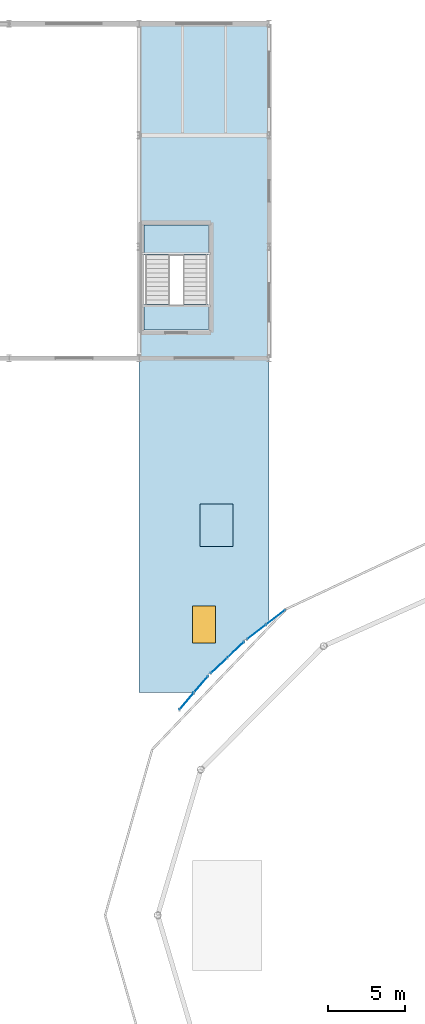
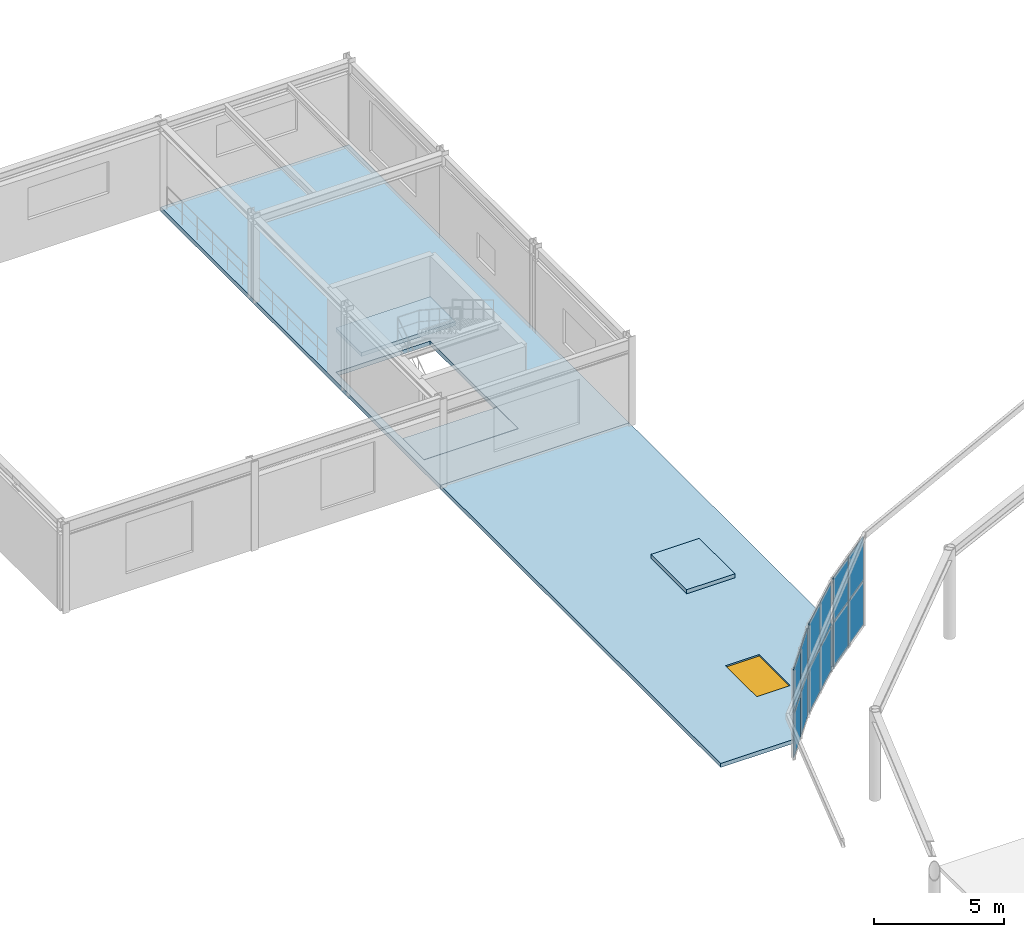
# One storey, part 53 of 73: 12 plates, 5 slabs, 1 window, 1 opening, 4 elements without a shape of their own.
"""IFC4 building model written with IfcOpenShell, lengths in metres."""

from ifc_helpers import new_model, si_unit, derived_unit, direction, frame, origin, origin_2d, place, context, subcontext, project, spatial, polyline, rectangle, outline, extrude, material, layer, layer_set, type_object, element, fill, aggregate, save


model = new_model("IFC4")

# Units and contexts
model_context = context("Model", 3, precision=1e-05, world=origin(), true_north=direction((0.0, 1.0)))
body_context = subcontext(model_context, "Body", "Model", "MODEL_VIEW")
ifc_project = project(units=[si_unit("LENGTHUNIT", "METRE"), si_unit("AREAUNIT", "SQUARE_METRE"), si_unit("VOLUMEUNIT", "CUBIC_METRE"), si_unit("PLANEANGLEUNIT", "RADIAN"), si_unit("MASSUNIT", "GRAM", prefix="KILO"), derived_unit("THERMALTRANSMITTANCEUNIT", [(si_unit("MASSUNIT", "GRAM", prefix="KILO"), 1), (si_unit("TIMEUNIT", "SECOND"), -3), (si_unit("THERMODYNAMICTEMPERATUREUNIT", "KELVIN"), -1)])], contexts=[model_context])

# Site, building, storey
site_placement = place(None, origin())
site = spatial("IfcSite", under=ifc_project, at=site_placement, CompositionType="ELEMENT")
building_placement = place(site_placement, origin())
building = spatial("IfcBuilding", under=site, at=building_placement, Name="Kharveza Railside Sports Centre", CompositionType="ELEMENT")
storey_placement = place(building_placement, frame((0.0, 0.0, 8.699951171875)))
storey = spatial("IfcBuildingStorey", under=building, at=storey_placement, Name="L02", CompositionType="ELEMENT", Elevation=8.699951171875)

# Curtain wall, plates
ifc_material_1 = material(Name="Low-E solar-control laminated glass", Category="glass")
curtain_wall_type = type_object("IfcCurtainWallType", Name="CW-DR01", PredefinedType="NOTDEFINED", material=ifc_material_1)
curtain_wall_1_placement = place(storey_placement, origin())
curtain_wall_1 = element("IfcCurtainWall", 1, at=curtain_wall_1_placement, inside=storey, type_object=curtain_wall_type, Name="CW-DRUM-25", PredefinedType="NOTDEFINED")
ifc_layer_1 = layer(ifc_material_1, 0.035888671875, Name="Low-E solar-control laminated glass")
ifc_layer_set_1 = layer_set([ifc_layer_1], Name="Low-E solar-control laminated glass")
plate_type = type_object("IfcPlateType", Name="PL-CP02", PredefinedType="CURTAIN_PANEL", material=ifc_layer_set_1)
plate_1_placement = place(storey_placement, frame((25.609130859375, 69.6533203125, 0.02001953125), z_axis=(0.0, 0.0, 1.0), x_axis=(-0.791436947965, -0.61125081382, 0.0)))
plate_1 = element("IfcPlate", 2, at=plate_1_placement, type_object=plate_type, Name="CW-DRUM-25-PN11", PredefinedType="CURTAIN_PANEL", context=body_context, shape_type="SweptSolid", body=[
    extrude(rectangle(XDim=1.50537109375, YDim=0.035888671875, at=origin_2d()), origin(), (0.0, 0.0, 1.0), 2.06005859375),
])
plate_2_placement = place(storey_placement, frame((25.609130859375, 69.6533203125, 2.1201171875), z_axis=(0.0, 0.0, 1.0), x_axis=(-0.791436947965, -0.61125081382, 0.0)))
plate_2 = element("IfcPlate", 3, at=plate_2_placement, type_object=plate_type, Name="CW-DRUM-25-PN12", PredefinedType="CURTAIN_PANEL", context=body_context, shape_type="SweptSolid", body=[
    extrude(rectangle(XDim=1.50537109375, YDim=0.035888671875, at=origin_2d()), origin(), (0.0, 0.0, 1.0), 2.06005859375),
])
plate_3_placement = place(storey_placement, frame((24.385986328125, 68.708740234375, 0.02001953125), z_axis=(0.0, 0.0, 1.0), x_axis=(-0.791436947965, -0.61125081382, 0.0)))
plate_3 = element("IfcPlate", 4, at=plate_3_placement, type_object=plate_type, Name="CW-DRUM-25-PN21", PredefinedType="CURTAIN_PANEL", context=body_context, shape_type="SweptSolid", body=[
    extrude(rectangle(XDim=1.50537109375, YDim=0.035888671875, at=origin_2d()), origin(), (0.0, 0.0, 1.0), 2.06005859375),
])
plate_4_placement = place(storey_placement, frame((24.385986328125, 68.708740234375, 2.1201171875), z_axis=(0.0, 0.0, 1.0), x_axis=(-0.791436947965, -0.61125081382, 0.0)))
plate_4 = element("IfcPlate", 5, at=plate_4_placement, type_object=plate_type, Name="CW-DRUM-25-PN22", PredefinedType="CURTAIN_PANEL", context=body_context, shape_type="SweptSolid", body=[
    extrude(rectangle(XDim=1.50537109375, YDim=0.035888671875, at=origin_2d()), origin(), (0.0, 0.0, 1.0), 2.06005859375),
])
aggregate(curtain_wall_1, [plate_1, plate_2, plate_3, plate_4])

curtain_wall_2_placement = place(storey_placement, origin())
curtain_wall_2 = element("IfcCurtainWall", 6, at=curtain_wall_2_placement, inside=storey, type_object=curtain_wall_type, Name="CW-DRUM-26", PredefinedType="NOTDEFINED")
plate_5_placement = place(storey_placement, frame((23.051513671875, 67.570068359375, 0.02001953125), z_axis=(0.0, 0.0, 1.0), x_axis=(-0.727233892774, -0.686389732732, 0.0)))
plate_5 = element("IfcPlate", 7, at=plate_5_placement, type_object=plate_type, Name="CW-DRUM-26-PN11", PredefinedType="CURTAIN_PANEL", context=body_context, shape_type="SweptSolid", body=[
    extrude(rectangle(XDim=1.44775390625, YDim=0.035888671875, at=origin_2d()), origin(), (0.0, 0.0, 1.0), 2.06005859375),
])
plate_6_placement = place(storey_placement, frame((23.051513671875, 67.570068359375, 2.1201171875), z_axis=(0.0, 0.0, 1.0), x_axis=(-0.727233892774, -0.686389732732, 0.0)))
plate_6 = element("IfcPlate", 8, at=plate_6_placement, type_object=plate_type, Name="CW-DRUM-26-PN12", PredefinedType="CURTAIN_PANEL", context=body_context, shape_type="SweptSolid", body=[
    extrude(rectangle(XDim=1.44775390625, YDim=0.035888671875, at=origin_2d()), origin(), (0.0, 0.0, 1.0), 2.06005859375),
])
plate_7_placement = place(storey_placement, frame((21.969482421875, 66.548828125, 0.02001953125), z_axis=(0.0, 0.0, 1.0), x_axis=(-0.727233892774, -0.686389732732, 0.0)))
plate_7 = element("IfcPlate", 9, at=plate_7_placement, type_object=plate_type, Name="CW-DRUM-26-PN21", PredefinedType="CURTAIN_PANEL", context=body_context, shape_type="SweptSolid", body=[
    extrude(rectangle(XDim=1.44775390625, YDim=0.035888671875, at=origin_2d()), origin(), (0.0, 0.0, 1.0), 2.06005859375),
])
plate_8_placement = place(storey_placement, frame((21.969482421875, 66.548828125, 2.1201171875), z_axis=(0.0, 0.0, 1.0), x_axis=(-0.727233892774, -0.686389732732, 0.0)))
plate_8 = element("IfcPlate", 10, at=plate_8_placement, type_object=plate_type, Name="CW-DRUM-26-PN22", PredefinedType="CURTAIN_PANEL", context=body_context, shape_type="SweptSolid", body=[
    extrude(rectangle(XDim=1.44775390625, YDim=0.035888671875, at=origin_2d()), origin(), (0.0, 0.0, 1.0), 2.06005859375),
])
aggregate(curtain_wall_2, [plate_5, plate_6, plate_7, plate_8])

curtain_wall_3_placement = place(storey_placement, origin())
curtain_wall_3 = element("IfcCurtainWall", 11, at=curtain_wall_3_placement, inside=storey, type_object=curtain_wall_type, Name="CW-DRUM-27", PredefinedType="NOTDEFINED")
plate_9_placement = place(storey_placement, frame((20.797607421875, 65.3212890625, 0.02001953125), z_axis=(0.0, 0.0, 1.0), x_axis=(-0.650403089613, -0.759589244935, 0.0)))
plate_9 = element("IfcPlate", 12, at=plate_9_placement, type_object=plate_type, Name="CW-DRUM-27-PN11", PredefinedType="CURTAIN_PANEL", context=body_context, shape_type="SweptSolid", body=[
    extrude(rectangle(XDim=1.391357421875, YDim=0.035888671875, at=origin_2d()), origin(), (0.0, 0.0, 1.0), 2.06005859375),
])
plate_10_placement = place(storey_placement, frame((20.797607421875, 65.3212890625, 2.1201171875), z_axis=(0.0, 0.0, 1.0), x_axis=(-0.650403089613, -0.759589244935, 0.0)))
plate_10 = element("IfcPlate", 13, at=plate_10_placement, type_object=plate_type, Name="CW-DRUM-27-PN12", PredefinedType="CURTAIN_PANEL", context=body_context, shape_type="SweptSolid", body=[
    extrude(rectangle(XDim=1.391357421875, YDim=0.035888671875, at=origin_2d()), origin(), (0.0, 0.0, 1.0), 2.06005859375),
])
plate_11_placement = place(storey_placement, frame((19.86669921875, 64.23388671875, 0.02001953125), z_axis=(0.0, 0.0, 1.0), x_axis=(-0.650403089613, -0.759589244935, 0.0)))
plate_11 = element("IfcPlate", 14, at=plate_11_placement, type_object=plate_type, Name="CW-DRUM-27-PN21", PredefinedType="CURTAIN_PANEL", context=body_context, shape_type="SweptSolid", body=[
    extrude(rectangle(XDim=1.391357421875, YDim=0.035888671875, at=origin_2d()), origin(), (0.0, 0.0, 1.0), 2.06005859375),
])
plate_12_placement = place(storey_placement, frame((19.86669921875, 64.23388671875, 2.1201171875), z_axis=(0.0, 0.0, 1.0), x_axis=(-0.650403089613, -0.759589244935, 0.0)))
plate_12 = element("IfcPlate", 15, at=plate_12_placement, type_object=plate_type, Name="CW-DRUM-27-PN22", PredefinedType="CURTAIN_PANEL", context=body_context, shape_type="SweptSolid", body=[
    extrude(rectangle(XDim=1.391357421875, YDim=0.035888671875, at=origin_2d()), origin(), (0.0, 0.0, 1.0), 2.06005859375),
])
aggregate(curtain_wall_3, [plate_9, plate_10, plate_11, plate_12])

# Slabs
ifc_material_2 = material(Name="Concrete C35/45", Category="concrete")
ifc_layer_2 = layer(ifc_material_2, 0.199951171875, Name="Concrete C35/45")
ifc_layer_set_2 = layer_set([ifc_layer_2], Name="Concrete C35/45")
slab_type_1 = type_object("IfcSlabType", Name="SL-FL200", PredefinedType="FLOOR", material=ifc_layer_set_2)
slab_1_placement = place(storey_placement, frame((0.0, 0.0, -0.199951171875)))
element("IfcSlab", 16, at=slab_1_placement, inside=storey, type_object=slab_type_1, Name="SLB-L02-IND-02", PredefinedType="FLOOR", context=body_context, shape_type="SweptSolid", body=[
    extrude(outline(polyline([(16.800048828125, 86.39990234375), (16.800048828125, 108.0), (25.199951171875, 108.0), (25.199951171875, 86.39990234375), (16.800048828125, 86.39990234375)]), holes=[polyline([(21.300048828125, 88.199951171875), (21.300048828125, 95.0), (17.10009765625, 95.0), (17.10009765625, 88.199951171875), (21.300048828125, 88.199951171875)])]), origin(), (0.0, 0.0, 1.0), 0.199951171875),
])
ifc_layer_3 = layer(ifc_material_2, 0.18505859375, Name="Concrete C35/45")
ifc_layer_set_3 = layer_set([ifc_layer_3], Name="Concrete C35/45")
slab_type_2 = type_object("IfcSlabType", Name="SL-LD185", PredefinedType="LANDING", material=ifc_layer_set_3)
slab_2_placement = place(storey_placement, frame((0.0, 0.0, -0.18505859375)))
element("IfcSlab", 17, at=slab_2_placement, inside=storey, type_object=slab_type_2, Name="SLB-STLND-FLR-ST6-L02", PredefinedType="LANDING", context=body_context, shape_type="SweptSolid", body=[
    extrude(outline(polyline([(17.10498046875, 88.205078125), (21.294921875, 88.205078125), (21.294921875, 89.860107421875), (17.10498046875, 89.860107421875), (17.10498046875, 88.205078125)])), origin(), (0.0, 0.0, 1.0), 0.18505859375),
])

# Stair, slab
stair_type = type_object("IfcStairType", Name="ST-B42", PredefinedType="TWO_STRAIGHT_RUN_STAIR", material=ifc_material_2)
stair_placement = place(storey_placement, origin())
stair = element("IfcStair", 18, at=stair_placement, inside=storey, type_object=stair_type, Name="STR-ST6-L02", PredefinedType="TWO_STRAIGHT_RUN_STAIR")
slab_3_placement = place(storey_placement, frame((0.0, 0.0, 1.9150390625)))
slab_3 = element("IfcSlab", 19, at=slab_3_placement, type_object=slab_type_2, Name="STR-ST6-L02-HLND", PredefinedType="LANDING", context=body_context, shape_type="SweptSolid", body=[
    extrude(outline(polyline([(17.10498046875, 93.050048828125), (21.294921875, 93.050048828125), (21.294921875, 94.9951171875), (17.10498046875, 94.9951171875), (17.10498046875, 93.050048828125)])), origin(), (0.0, 0.0, 1.0), 0.18505859375),
])
aggregate(stair, [slab_3])

# Slab, opening, window
ifc_material_3 = material(Name="Insulated standing-seam zinc-aluminium roof panel", Category="aluminium")
ifc_layer_4 = layer(ifc_material_3, 0.18994140625, Name="Insulated standing-seam zinc-aluminium roof panel")
ifc_layer_set_4 = layer_set([ifc_layer_4], Name="Insulated standing-seam zinc-aluminium roof panel")
slab_type_3 = type_object("IfcSlabType", Name="SL-RF190", PredefinedType="ROOF", material=ifc_layer_set_4)
slab_4_placement = place(storey_placement, frame((0.0, 0.0, -0.18994140625)))
slab_4 = element("IfcSlab", 20, at=slab_4_placement, inside=storey, type_object=slab_type_3, Name="SLB-RF-V3LINK-1", PredefinedType="ROOF", context=body_context, shape_type="SweptSolid", body=[
    extrude(outline(polyline([(16.800048828125, 64.800048828125), (16.800048828125, 86.39990234375), (25.199951171875, 86.39990234375), (25.199951171875, 69.400390625), (23.64892578125, 68.20263671875), (23.645263671875, 68.199462890625), (21.306884765625, 65.992431640625), (21.30322265625, 65.988525390625), (20.28564453125, 64.800048828125), (16.800048828125, 64.800048828125)])), origin(), (0.0, 0.0, 1.0), 0.18994140625),
])
opening_placement = place(slab_4_placement, frame((21.0, 69.199951171875, -0.02490234375)))
opening = element("IfcOpeningElement", 21, at=opening_placement, cuts=slab_4, Name="Opening SK04", PredefinedType="OPENING", context=body_context, shape_type="SweptSolid", body=[
    extrude(rectangle(XDim=1.5, YDim=2.39990234375, at=origin_2d()), origin(), (0.0, 0.0, 1.0), 0.23974609375),
])
window_type = type_object("IfcWindowType", Name="WN-SK04", PartitioningType="SINGLE_PANEL", PredefinedType="SKYLIGHT", material=ifc_material_1)
window_placement = place(slab_4_placement, frame((21.0, 69.199951171875, 0.06982421875)))
window = element("IfcWindow", 22, at=window_placement, inside=storey, type_object=window_type, Name="WN-SK-LNK-1", OverallHeight=2.39990234375, OverallWidth=1.5, PartitioningType="SINGLE_PANEL", PredefinedType="SKYLIGHT", context=body_context, shape_type="SweptSolid", body=[
    extrude(rectangle(XDim=1.5, YDim=2.39990234375, at=origin_2d()), origin(), (0.0, 0.0, 1.0), 0.050048828125),
])
fill(opening, window)

# Slab
slab_5_placement = place(storey_placement, frame((0.0, 0.0, 0.900146484375)))
element("IfcSlab", 23, at=slab_5_placement, inside=storey, type_object=slab_type_3, Name="SLB-LFOVR-LF4", PredefinedType="ROOF", context=body_context, shape_type="SweptSolid", body=[
    extrude(outline(polyline([(20.72509765625, 74.22509765625), (22.875, 74.22509765625), (22.875, 76.97509765625), (20.72509765625, 76.97509765625), (20.72509765625, 74.22509765625)])), origin(), (0.0, 0.0, 1.0), 0.18994140625),
])

save(model, "model.ifc")
